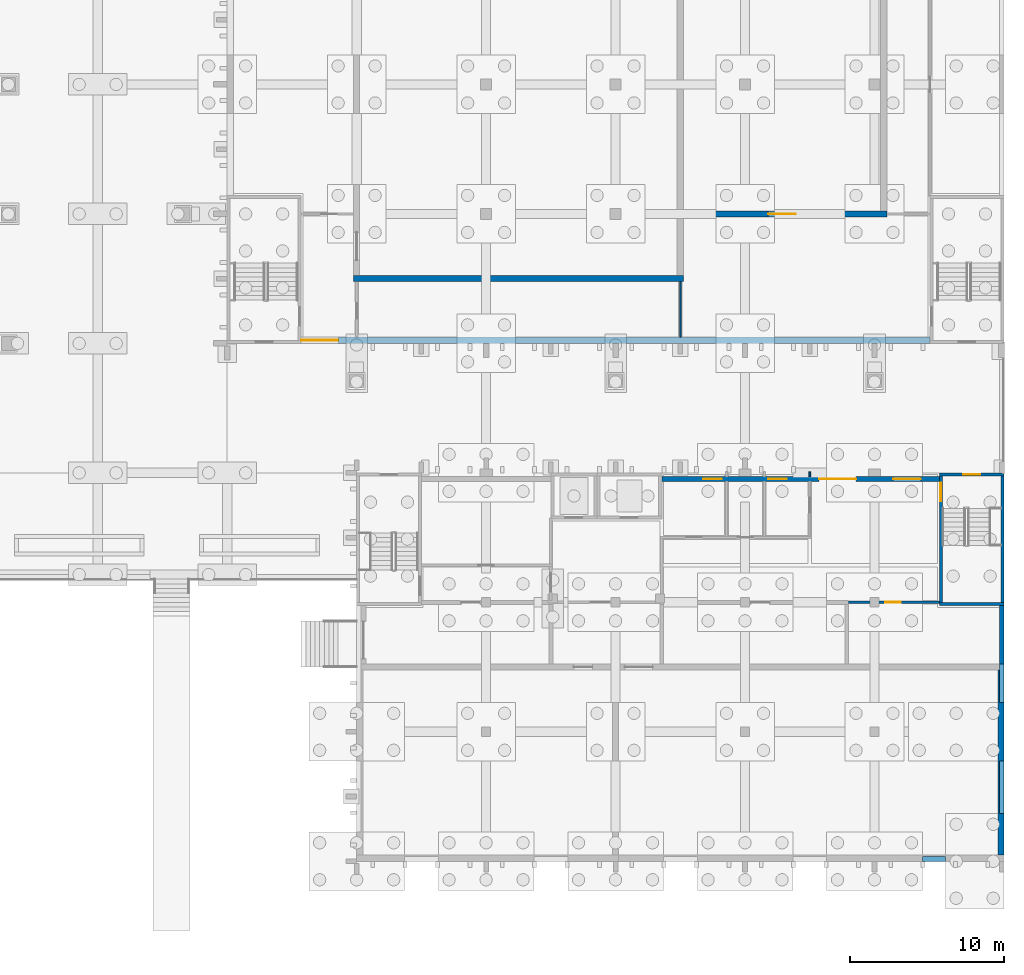
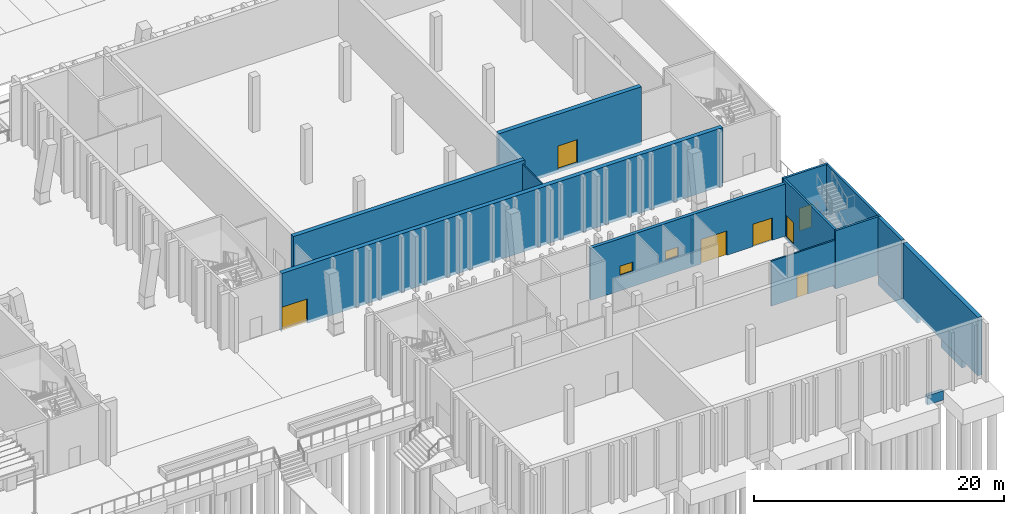
# One storey, part 56 of 129: 16 walls, 7 doors, 2 windows, 9 openings.
"""IFC4 building model written with IfcOpenShell, lengths in metres."""

from ifc_helpers import new_model, si_unit, direction, frame, frame_2d, origin, place, context, subcontext, project, spatial, rectangle, extrude, material, layer, layer_set, type_object, element, fill, save


model = new_model("IFC4")

# Units and contexts
model_context = context("Model", 3, precision=1e-05, world=origin(), true_north=direction((0.0, 1.0)))
body_context = subcontext(model_context, "Body", "Model", "MODEL_VIEW")
ifc_project = project(units=[si_unit("LENGTHUNIT", "METRE"), si_unit("AREAUNIT", "SQUARE_METRE"), si_unit("VOLUMEUNIT", "CUBIC_METRE"), si_unit("PLANEANGLEUNIT", "RADIAN"), si_unit("MASSUNIT", "GRAM", prefix="KILO")], contexts=[model_context])

# Site, building, storey
site_placement = place(None, origin())
site = spatial("IfcSite", under=ifc_project, at=site_placement, CompositionType="ELEMENT")
building_placement = place(site_placement, origin())
building = spatial("IfcBuilding", under=site, at=building_placement, Name="Kiln Court Media Centre", CompositionType="ELEMENT")
storey_placement = place(building_placement, origin())
storey = spatial("IfcBuildingStorey", under=building, at=storey_placement, Name="L00", CompositionType="ELEMENT", Elevation=0.0)

# Walls
ifc_material_1 = material(Name="Concrete C30/37", Category="concrete")
ifc_layer_1 = layer(ifc_material_1, 0.300048828125)
ifc_layer_set_1 = layer_set([ifc_layer_1], Name="Concrete C30/37 plinth wall 300")
wall_type_1 = type_object("IfcWallType", Name="Concrete C30/37 plinth wall 300", PredefinedType="SOLIDWALL", material=ifc_layer_set_1)
wall_1_placement = place(storey_placement, frame((164.199951171875, 0.14990234375, -1.199951171875), z_axis=(0.0, 0.0, 1.0), x_axis=(-1.0, 0.0, 0.0)))
element("IfcWall", 1, at=wall_1_placement, inside=storey, type_object=wall_type_1, Name="L00-W-1186", PredefinedType="SOLIDWALL", context=body_context, shape_type="SweptSolid", body=[
    extrude(rectangle(XDim=1.5, YDim=0.300048828125, at=frame_2d((0.75, 0.0))), origin(), (0.0, 0.0, 1.0), 0.89990234375),
])
wall_2_placement = place(storey_placement, frame((167.849609375, 6.5, -1.199951171875), z_axis=(0.0, 0.0, 1.0), x_axis=(0.0, -1.0, 0.0)))
element("IfcWall", 2, at=wall_2_placement, inside=storey, type_object=wall_type_1, Name="L00-W-1187", PredefinedType="SOLIDWALL", context=body_context, shape_type="SweptSolid", body=[
    extrude(rectangle(XDim=3.39990234375, YDim=0.300048828125, at=frame_2d((1.699951171875, 0.0))), origin(), (0.0, 0.0, 1.0), 0.89990234375),
])
wall_3_placement = place(storey_placement, frame((167.849609375, 16.60009765625, -1.199951171875), z_axis=(0.0, 0.0, 1.0), x_axis=(0.0, -1.0, 0.0)))
element("IfcWall", 3, at=wall_3_placement, inside=storey, type_object=wall_type_1, Name="L00-W-1188", PredefinedType="SOLIDWALL", context=body_context, shape_type="SweptSolid", body=[
    extrude(rectangle(XDim=6.300048828125, YDim=0.300048828125, at=frame_2d((3.14990234375, 0.0))), origin(), (0.0, 0.0, 1.0), 0.89990234375),
])

# Wall, opening, door
ifc_material_2 = material(Name="Concrete C40/50", Category="concrete")
ifc_layer_2 = layer(ifc_material_2, 0.39990234375)
ifc_layer_set_2 = layer_set([ifc_layer_2], Name="Concrete C40/50 auditorium wall 400")
wall_type_2 = type_object("IfcWallType", Name="Concrete C40/50 auditorium wall 400", PredefinedType="SHEAR", material=ifc_layer_set_2)
wall_4_placement = place(storey_placement, frame((163.199951171875, 33.800048828125, -0.300048828125), z_axis=(0.0, 0.0, 1.0), x_axis=(-1.0, 0.0, 0.0)))
wall_4 = element("IfcWall", 4, at=wall_4_placement, inside=storey, type_object=wall_type_2, Name="L00-W-1142", PredefinedType="SHEAR", context=body_context, shape_type="SweptSolid", body=[
    extrude(rectangle(XDim=40.800048828125, YDim=0.39990234375, at=frame_2d((20.39990234375, 0.0))), origin(), (0.0, 0.0, 1.0), 5.699951171875),
])
opening_1_placement = place(wall_4_placement, frame((38.39990234375, 0.0, 0.0)))
opening_1 = element("IfcOpeningElement", 5, at=opening_1_placement, cuts=wall_4, Name="Opening D0769", PredefinedType="OPENING", context=body_context, shape_type="SweptSolid", body=[
    extrude(rectangle(XDim=2.39990234375, YDim=2.39990234375, at=frame_2d((1.199951171875, 1.199951171875))), frame((0.0, 0.2099609375, 0.0), z_axis=(0.0, -1.0, 0.0), x_axis=(1.0, 0.0, 0.0)), (0.0, 0.0, 1.0), 0.419921875),
])
ifc_material_3 = material(Name="Aluminium 6063-T6", Category="aluminium")
door_type_1 = type_object("IfcDoorType", Name="Aluminium glazed entrance door 2400x2400", OperationType="DOUBLE_DOOR_DOUBLE_SWING", PredefinedType="DOOR", material=ifc_material_3)
door_1_placement = place(opening_1_placement, origin())
door_1 = element("IfcDoor", 6, at=door_1_placement, inside=storey, type_object=door_type_1, Name="EN-11 entrance door 1", OperationType="DOUBLE_DOOR_SLIDING", OverallHeight=2.39990234375, OverallWidth=2.39990234375, PredefinedType="DOOR", context=body_context, shape_type="SweptSolid", body=[
    extrude(rectangle(XDim=2.39990234375, YDim=2.39990234375, at=frame_2d((1.199951171875, 1.199951171875))), frame((0.0, 0.02490234375, 0.0), z_axis=(0.0, -1.0, 0.0), x_axis=(1.0, 0.0, 0.0)), (0.0, 0.0, 1.0), 0.050048828125),
])
fill(opening_1, door_1)

# Wall, openings, windows, doors
ifc_material_4 = material(Name="Concrete C40/50", Category="concrete")
ifc_layer_3 = layer(ifc_material_4, 0.300048828125)
ifc_layer_set_3 = layer_set([ifc_layer_3], Name="Concrete C40/50 board-marked facade wall 300")
wall_type_3 = type_object("IfcWallType", Name="Concrete C40/50 board-marked facade wall 300", PredefinedType="SOLIDWALL", material=ifc_layer_set_3)
wall_5_placement = place(storey_placement, frame((145.800048828125, 24.800048828125, 0.0), z_axis=(0.0, 0.0, 1.0), x_axis=(1.0, 0.0, 0.0)))
wall_5 = element("IfcWall", 7, at=wall_5_placement, inside=storey, type_object=wall_type_3, Name="V5 N facade wall 4011", PredefinedType="SOLIDWALL", context=body_context, shape_type="SweptSolid", body=[
    extrude(rectangle(XDim=18.0, YDim=0.300048828125, at=frame_2d((9.0, 0.0))), origin(), (0.0, 0.0, 1.0), 5.10009765625),
])
opening_2_placement = place(wall_5_placement, frame((10.199951171875, 0.0, 0.0)))
opening_2 = element("IfcOpeningElement", 8, at=opening_2_placement, cuts=wall_5, Name="Opening D0780", PredefinedType="OPENING", context=body_context, shape_type="SweptSolid", body=[
    extrude(rectangle(XDim=2.39990234375, YDim=2.39990234375, at=frame_2d((1.199951171875, 1.199951171875))), frame((0.0, 0.159912109375, 0.0), z_axis=(0.0, -1.0, 0.0), x_axis=(1.0, 0.0, 0.0)), (0.0, 0.0, 1.0), 0.320068359375),
])
opening_3_placement = place(wall_5_placement, frame((15.0, 0.0, 0.0)))
opening_3 = element("IfcOpeningElement", 9, at=opening_3_placement, cuts=wall_5, Name="Opening D0781", PredefinedType="OPENING", context=body_context, shape_type="SweptSolid", body=[
    extrude(rectangle(XDim=1.800048828125, YDim=2.199951171875, at=frame_2d((0.89990234375, 1.10009765625))), frame((0.0, 0.159912109375, 0.0), z_axis=(0.0, -1.0, 0.0), x_axis=(1.0, 0.0, 0.0)), (0.0, 0.0, 1.0), 0.320068359375),
])
opening_4_placement = place(wall_5_placement, frame((2.699951171875, 0.0, 1.5)))
opening_4 = element("IfcOpeningElement", 10, at=opening_4_placement, cuts=wall_5, Name="Opening WN0508", PredefinedType="OPENING", context=body_context, shape_type="SweptSolid", body=[
    extrude(rectangle(XDim=1.199951171875, YDim=0.89990234375, at=frame_2d((0.60009765625, 0.449951171875))), frame((0.0, 0.159912109375, 0.0), z_axis=(0.0, -1.0, 0.0), x_axis=(1.0, 0.0, 0.0)), (0.0, 0.0, 1.0), 0.320068359375),
])
opening_5_placement = place(wall_5_placement, frame((6.89990234375, 0.0, 1.5)))
opening_5 = element("IfcOpeningElement", 11, at=opening_5_placement, cuts=wall_5, Name="Opening WN0509", PredefinedType="OPENING", context=body_context, shape_type="SweptSolid", body=[
    extrude(rectangle(XDim=1.199951171875, YDim=0.89990234375, at=frame_2d((0.60009765625, 0.449951171875))), frame((0.0, 0.159912109375, 0.0), z_axis=(0.0, -1.0, 0.0), x_axis=(1.0, 0.0, 0.0)), (0.0, 0.0, 1.0), 0.320068359375),
])
ifc_material_5 = material(Name="Aluminium 6063-T6", Category="aluminium")
window_type = type_object("IfcWindowType", Name="Aluminium control room window 1200x900", PartitioningType="SINGLE_PANEL", PredefinedType="WINDOW", material=ifc_material_5)
window_1_placement = place(opening_4_placement, origin())
window_1 = element("IfcWindow", 12, at=window_1_placement, inside=storey, type_object=window_type, Name="V5 N wc window", OverallHeight=0.89990234375, OverallWidth=1.199951171875, PartitioningType="SINGLE_PANEL", PredefinedType="WINDOW", context=body_context, shape_type="SweptSolid", body=[
    extrude(rectangle(XDim=1.199951171875, YDim=0.89990234375, at=frame_2d((0.60009765625, 0.449951171875))), frame((0.0, 0.030029296875, 0.0), z_axis=(0.0, -1.0, 0.0), x_axis=(1.0, 0.0, 0.0)), (0.0, 0.0, 1.0), 0.06005859375),
])
fill(opening_4, window_1)
window_2_placement = place(opening_5_placement, origin())
window_2 = element("IfcWindow", 13, at=window_2_placement, inside=storey, type_object=window_type, Name="V5 N wc window", OverallHeight=0.89990234375, OverallWidth=1.199951171875, PartitioningType="SINGLE_PANEL", PredefinedType="WINDOW", context=body_context, shape_type="SweptSolid", body=[
    extrude(rectangle(XDim=1.199951171875, YDim=0.89990234375, at=frame_2d((0.60009765625, 0.449951171875))), frame((0.0, 0.030029296875, 0.0), z_axis=(0.0, -1.0, 0.0), x_axis=(1.0, 0.0, 0.0)), (0.0, 0.0, 1.0), 0.06005859375),
])
fill(opening_5, window_2)
door_2_placement = place(opening_2_placement, origin())
door_2 = element("IfcDoor", 14, at=door_2_placement, inside=storey, type_object=door_type_1, Name="EN-17 entrance door 1", OperationType="DOUBLE_DOOR_DOUBLE_SWING", OverallHeight=2.39990234375, OverallWidth=2.39990234375, PredefinedType="DOOR", context=body_context, shape_type="SweptSolid", body=[
    extrude(rectangle(XDim=2.39990234375, YDim=2.39990234375, at=frame_2d((1.199951171875, 1.199951171875))), frame((0.0, 0.02490234375, 0.0), z_axis=(0.0, -1.0, 0.0), x_axis=(1.0, 0.0, 0.0)), (0.0, 0.0, 1.0), 0.050048828125),
])
fill(opening_2, door_2)
ifc_material_6 = material(Name="Steel ASTM A572 Gr 50", Category="steel")
door_type_2 = type_object("IfcDoorType", Name="Steel hall exit double door 1800x2200", OperationType="DOUBLE_DOOR_DOUBLE_SWING", PredefinedType="DOOR", material=ifc_material_6)
door_3_placement = place(opening_3_placement, origin())
door_3 = element("IfcDoor", 15, at=door_3_placement, inside=storey, type_object=door_type_2, Name="V5 N exit door 2", OperationType="SINGLE_SWING_RIGHT", OverallHeight=2.199951171875, OverallWidth=1.800048828125, PredefinedType="DOOR", context=body_context, shape_type="SweptSolid", body=[
    extrude(rectangle(XDim=1.800048828125, YDim=2.199951171875, at=frame_2d((0.89990234375, 1.10009765625))), frame((0.0, 0.02490234375, 0.0), z_axis=(0.0, -1.0, 0.0), x_axis=(1.0, 0.0, 0.0)), (0.0, 0.0, 1.0), 0.050048828125),
])
fill(opening_3, door_3)

# Walls
ifc_material_7 = material(Name="Concrete C40/50", Category="concrete")
ifc_layer_4 = layer(ifc_material_7, 0.300048828125)
ifc_layer_set_4 = layer_set([ifc_layer_4], Name="Concrete C40/50 party wall 300")
wall_type_4 = type_object("IfcWallType", Name="Concrete C40/50 party wall 300", PredefinedType="SOLIDWALL", material=ifc_layer_set_4)
wall_6_placement = place(storey_placement, frame((167.849609375, 16.60009765625, -0.300048828125), z_axis=(0.0, 0.0, 1.0), x_axis=(0.0, -1.0, 0.0)))
element("IfcWall", 16, at=wall_6_placement, inside=storey, type_object=wall_type_4, Name="L00-W-1140", PredefinedType="SOLIDWALL", context=body_context, shape_type="SweptSolid", body=[
    extrude(rectangle(XDim=3.800048828125, YDim=0.300048828125, at=frame_2d((1.89990234375, 0.0))), origin(), (0.0, 0.0, 1.0), 5.699951171875),
])
ifc_material_8 = material(Name="Concrete C40/50", Category="concrete")
ifc_layer_5 = layer(ifc_material_8, 0.199951171875)
ifc_layer_set_5 = layer_set([ifc_layer_5], Name="Concrete C40/50 shear wall 200")
wall_type_5 = type_object("IfcWallType", Name="Concrete C40/50 shear wall 200", PredefinedType="SHEAR", material=ifc_layer_set_5)
wall_7_placement = place(storey_placement, frame((167.99951171875, 16.699951171875, -0.300048828125), z_axis=(0.0, 0.0, 1.0), x_axis=(-1.0, 0.0, 0.0)))
element("IfcWall", 17, at=wall_7_placement, inside=storey, type_object=wall_type_5, Name="L00-W-1064", PredefinedType="SHEAR", context=body_context, shape_type="SweptSolid", body=[
    extrude(rectangle(XDim=4.199462890625, YDim=0.199951171875, at=frame_2d((2.099609375, 0.0))), origin(), (0.0, 0.0, 1.0), 5.699951171875),
])

# Wall, opening, door
wall_8_placement = place(storey_placement, frame((163.800048828125, 25.10009765625, -0.300048828125), z_axis=(0.0, 0.0, 1.0), x_axis=(1.0, 0.0, 0.0)))
wall_8 = element("IfcWall", 18, at=wall_8_placement, inside=storey, type_object=wall_type_5, Name="L00-W-1065", PredefinedType="SHEAR", context=body_context, shape_type="SweptSolid", body=[
    extrude(rectangle(XDim=4.199462890625, YDim=0.199951171875, at=frame_2d((2.099609375, 0.0))), origin(), (0.0, 0.0, 1.0), 5.699951171875),
])
opening_6_placement = place(wall_8_placement, frame((1.550048828125, 0.0, 0.0)))
opening_6 = element("IfcOpeningElement", 19, at=opening_6_placement, cuts=wall_8, Name="Opening D0779", PredefinedType="OPENING", context=body_context, shape_type="SweptSolid", body=[
    extrude(rectangle(XDim=1.10009765625, YDim=2.199951171875, at=frame_2d((0.550048828125, 1.10009765625))), frame((0.0, 0.10986328125, 0.0), z_axis=(0.0, -1.0, 0.0), x_axis=(1.0, 0.0, 0.0)), (0.0, 0.0, 1.0), 0.219970703125),
])
ifc_material_9 = material(Name="Steel ASTM A572 Gr 50", Category="steel")
door_type_3 = type_object("IfcDoorType", Name="Steel hall exit door 1100x2200", OperationType="SINGLE_SWING_LEFT", PredefinedType="DOOR", material=ifc_material_9)
door_4_placement = place(opening_6_placement, origin())
door_4 = element("IfcDoor", 20, at=door_4_placement, inside=storey, type_object=door_type_3, Name="ST-17 exit door", OperationType="SLIDING_TO_LEFT", OverallHeight=2.199951171875, OverallWidth=1.10009765625, PredefinedType="DOOR", context=body_context, shape_type="SweptSolid", body=[
    extrude(rectangle(XDim=1.10009765625, YDim=2.199951171875, at=frame_2d((0.550048828125, 1.10009765625))), frame((0.0, 0.02490234375, 0.0), z_axis=(0.0, -1.0, 0.0), x_axis=(1.0, 0.0, 0.0)), (0.0, 0.0, 1.0), 0.050048828125),
])
fill(opening_6, door_4)

wall_9_placement = place(storey_placement, frame((163.89990234375, 16.800048828125, -0.300048828125), z_axis=(0.0, 0.0, 1.0), x_axis=(0.0, 1.0, 0.0)))
wall_9 = element("IfcWall", 21, at=wall_9_placement, inside=storey, type_object=wall_type_5, Name="L00-W-1066", PredefinedType="SHEAR", context=body_context, shape_type="SweptSolid", body=[
    extrude(rectangle(XDim=8.199951171875, YDim=0.199951171875, at=frame_2d((4.10009765625, 0.0))), origin(), (0.0, 0.0, 1.0), 5.699951171875),
])
opening_7_placement = place(wall_9_placement, frame((6.550048828125, 0.0, 0.300048828125)))
opening_7 = element("IfcOpeningElement", 22, at=opening_7_placement, cuts=wall_9, Name="Opening D0014", PredefinedType="OPENING", context=body_context, shape_type="SweptSolid", body=[
    extrude(rectangle(XDim=1.199951171875, YDim=2.10009765625, at=frame_2d((0.60009765625, 1.050048828125))), frame((0.0, 0.10986328125, 0.0), z_axis=(0.0, -1.0, 0.0), x_axis=(1.0, 0.0, 0.0)), (0.0, 0.0, 1.0), 0.219970703125),
])
ifc_material_10 = material(Name="Steel S275", Category="steel")
door_type_4 = type_object("IfcDoorType", Name="Steel stair door 1200 x 2100 FD180", OperationType="SINGLE_SWING_LEFT", PredefinedType="DOOR", material=ifc_material_10)
door_5_placement = place(opening_7_placement, origin())
door_5 = element("IfcDoor", 23, at=door_5_placement, inside=storey, type_object=door_type_4, Name="Stair 17 / Artists' Lounge", OperationType="SINGLE_SWING_RIGHT", OverallHeight=2.10009765625, OverallWidth=1.199951171875, PredefinedType="DOOR", context=body_context, shape_type="SweptSolid", body=[
    extrude(rectangle(XDim=1.199951171875, YDim=2.10009765625, at=frame_2d((0.60009765625, 1.050048828125))), frame((0.0, 0.02490234375, 0.0), z_axis=(0.0, -1.0, 0.0), x_axis=(1.0, 0.0, 0.0)), (0.0, 0.0, 1.0), 0.050048828125),
])
fill(opening_7, door_5)

# Walls
wall_10_placement = place(storey_placement, frame((167.899658203125, 25.0, -0.300048828125), z_axis=(0.0, 0.0, 1.0), x_axis=(0.0, -1.0, 0.0)))
element("IfcWall", 24, at=wall_10_placement, inside=storey, type_object=wall_type_5, Name="L00-W-1067", PredefinedType="SHEAR", context=body_context, shape_type="SweptSolid", body=[
    extrude(rectangle(XDim=8.199951171875, YDim=0.199951171875, at=frame_2d((4.10009765625, 0.0))), origin(), (0.0, 0.0, 1.0), 5.699951171875),
])
ifc_material_11 = material(Name="Concrete C40/50", Category="concrete")
ifc_layer_6 = layer(ifc_material_11, 0.39990234375)
ifc_layer_set_6 = layer_set([ifc_layer_6], Name="Concrete C40/50 studio wall 400")
wall_type_6 = type_object("IfcWallType", Name="Concrete C40/50 studio wall 400", PredefinedType="SHEAR", material=ifc_layer_set_6)
wall_11_placement = place(storey_placement, frame((147.199951171875, 37.800048828125, -0.300048828125), z_axis=(0.0, 0.0, 1.0), x_axis=(-1.0, 0.0, 0.0)))
element("IfcWall", 25, at=wall_11_placement, inside=storey, type_object=wall_type_6, Name="L00-W-1125", PredefinedType="SHEAR", context=body_context, shape_type="SweptSolid", body=[
    extrude(rectangle(XDim=21.39990234375, YDim=0.39990234375, at=frame_2d((10.699951171875, 0.0))), origin(), (0.0, 0.0, 1.0), 5.699951171875),
])

# Wall, opening, door
wall_12_placement = place(storey_placement, frame((160.39990234375, 42.0, -0.300048828125), z_axis=(0.0, 0.0, 1.0), x_axis=(-1.0, 0.0, 0.0)))
wall_12 = element("IfcWall", 26, at=wall_12_placement, inside=storey, type_object=wall_type_6, Name="L00-W-1129", PredefinedType="SHEAR", context=body_context, shape_type="SweptSolid", body=[
    extrude(rectangle(XDim=13.199951171875, YDim=0.39990234375, at=frame_2d((6.60009765625, 0.0))), origin(), (0.0, 0.0, 1.0), 5.699951171875),
])
opening_8_placement = place(wall_12_placement, frame((5.89990234375, 0.0, 0.300048828125)))
opening_8 = element("IfcOpeningElement", 27, at=opening_8_placement, cuts=wall_12, Name="Opening D0035", PredefinedType="OPENING", context=body_context, shape_type="SweptSolid", body=[
    extrude(rectangle(XDim=1.800048828125, YDim=2.300048828125, at=frame_2d((0.89990234375, 1.14990234375))), frame((0.0, 0.2099609375, 0.0), z_axis=(0.0, -1.0, 0.0), x_axis=(1.0, 0.0, 0.0)), (0.0, 0.0, 1.0), 0.419921875),
])
ifc_material_12 = material(Name="Steel S275", Category="steel")
door_type_5 = type_object("IfcDoorType", Name="Acoustic studio double door 1800 x 2300 FD180", OperationType="DOUBLE_DOOR_SINGLE_SWING", PredefinedType="DOOR", material=ifc_material_12)
door_6_placement = place(opening_8_placement, origin())
door_6 = element("IfcDoor", 28, at=door_6_placement, inside=storey, type_object=door_type_5, Name="Studio B Sound Lock and Green Room / Television Studio B", OperationType="DOUBLE_DOOR_SINGLE_SWING", OverallHeight=2.300048828125, OverallWidth=1.800048828125, PredefinedType="DOOR", context=body_context, shape_type="SweptSolid", body=[
    extrude(rectangle(XDim=1.800048828125, YDim=2.300048828125, at=frame_2d((0.89990234375, 1.14990234375))), frame((0.0, 0.02490234375, 0.0), z_axis=(0.0, -1.0, 0.0), x_axis=(1.0, 0.0, 0.0)), (0.0, 0.0, 1.0), 0.050048828125),
])
fill(opening_8, door_6)

# Wall
wall_13_placement = place(storey_placement, frame((167.799560546875, 12.39990234375, -0.300048828125), z_axis=(0.0, 0.0, 1.0), x_axis=(0.0, -1.0, 0.0)))
element("IfcWall", 29, at=wall_13_placement, inside=storey, type_object=wall_type_6, Name="L00-W-1138", PredefinedType="SHEAR", context=body_context, shape_type="SweptSolid", body=[
    extrude(rectangle(XDim=12.0, YDim=0.39990234375, at=frame_2d((6.0, 0.0))), origin(), (0.0, 0.0, 1.0), 5.699951171875),
])

# Wall, opening, door
ifc_material_13 = material(Name="Gypsum plasterboard", Category="gypsum")
ifc_layer_7 = layer(ifc_material_13, 0.14990234375)
ifc_layer_set_7 = layer_set([ifc_layer_7], Name="Gypsum corridor partition 150 EI 60")
wall_type_7 = type_object("IfcWallType", Name="Gypsum corridor partition 150 EI 60", PredefinedType="PARTITIONING", material=ifc_layer_set_7)
wall_14_placement = place(storey_placement, frame((157.925048828125, 16.800048828125, 0.0), z_axis=(0.0, 0.0, 1.0), x_axis=(1.0, 0.0, 0.0)))
wall_14 = element("IfcWall", 30, at=wall_14_placement, inside=storey, type_object=wall_type_7, Name="L00 gypsum corridor partition", PredefinedType="PARTITIONING", context=body_context, shape_type="SweptSolid", body=[
    extrude(rectangle(XDim=5.875, YDim=0.14990234375, at=frame_2d((2.9375, 0.0))), origin(), (0.0, 0.0, 1.0), 4.39990234375),
])
opening_9_placement = place(wall_14_placement, frame((2.375, 0.0, 0.0)))
opening_9 = element("IfcOpeningElement", 31, at=opening_9_placement, cuts=wall_14, Name="Opening D0062", PredefinedType="OPENING", context=body_context, shape_type="SweptSolid", body=[
    extrude(rectangle(XDim=1.0, YDim=2.10009765625, at=frame_2d((0.5, 1.050048828125))), frame((0.0, 0.0849609375, 0.0), z_axis=(0.0, -1.0, 0.0), x_axis=(1.0, 0.0, 0.0)), (0.0, 0.0, 1.0), 0.169921875),
])
ifc_material_14 = material(Name="Steel S275", Category="steel")
door_type_6 = type_object("IfcDoorType", Name="Steel corridor door 1000 x 2100 FD30S", OperationType="SINGLE_SWING_LEFT", PredefinedType="DOOR", material=ifc_material_14)
door_7_placement = place(opening_9_placement, origin())
door_7 = element("IfcDoor", 32, at=door_7_placement, inside=storey, type_object=door_type_6, Name="Sound Lobby / Studio Corridor", OperationType="SINGLE_SWING_RIGHT", OverallHeight=2.10009765625, OverallWidth=1.0, PredefinedType="DOOR", context=body_context, shape_type="SweptSolid", body=[
    extrude(rectangle(XDim=1.0, YDim=2.10009765625, at=frame_2d((0.5, 1.050048828125))), frame((0.0, 0.02490234375, 0.0), z_axis=(0.0, -1.0, 0.0), x_axis=(1.0, 0.0, 0.0)), (0.0, 0.0, 1.0), 0.050048828125),
])
fill(opening_9, door_7)

# Walls
ifc_material_15 = material(Name="Gypsum plasterboard", Category="gypsum")
ifc_layer_8 = layer(ifc_material_15, 0.10009765625)
ifc_layer_set_8 = layer_set([ifc_layer_8], Name="Gypsum stud partition 100")
wall_type_8 = type_object("IfcWallType", Name="Gypsum stud partition 100", PredefinedType="PARTITIONING", material=ifc_layer_set_8)
wall_15_placement = place(storey_placement, frame((147.0, 34.0, 0.0), z_axis=(0.0, 0.0, 1.0), x_axis=(0.0, 1.0, 0.0)))
element("IfcWall", 33, at=wall_15_placement, inside=storey, type_object=wall_type_8, Name="L00 gypsum stud partition", PredefinedType="PARTITIONING", context=body_context, shape_type="SweptSolid", body=[
    extrude(rectangle(XDim=3.60009765625, YDim=0.10009765625, at=frame_2d((1.800048828125, 0.0))), origin(), (0.0, 0.0, 1.0), 5.10009765625),
])
ifc_material_16 = material(Name="Gypsum plasterboard", Category="gypsum")
ifc_layer_9 = layer(ifc_material_16, 0.125)
ifc_layer_set_9 = layer_set([ifc_layer_9], Name="Gypsum wet-area partition 125")
wall_type_9 = type_object("IfcWallType", Name="Gypsum wet-area partition 125", PredefinedType="PARTITIONING", material=ifc_layer_set_9)
wall_16_placement = place(storey_placement, frame((155.39990234375, 24.949951171875, 0.0), z_axis=(0.0, 0.0, 1.0), x_axis=(0.0, 1.0, 0.0)))
element("IfcWall", 34, at=wall_16_placement, inside=storey, type_object=wall_type_9, Name="L00 gypsum wet-area partition", PredefinedType="PARTITIONING", context=body_context, shape_type="SweptSolid", body=[
    extrude(rectangle(XDim=0.3125, YDim=0.125, at=frame_2d((0.15625, 0.0))), origin(), (0.0, 0.0, 1.0), 4.39990234375),
])

save(model, "model.ifc")
